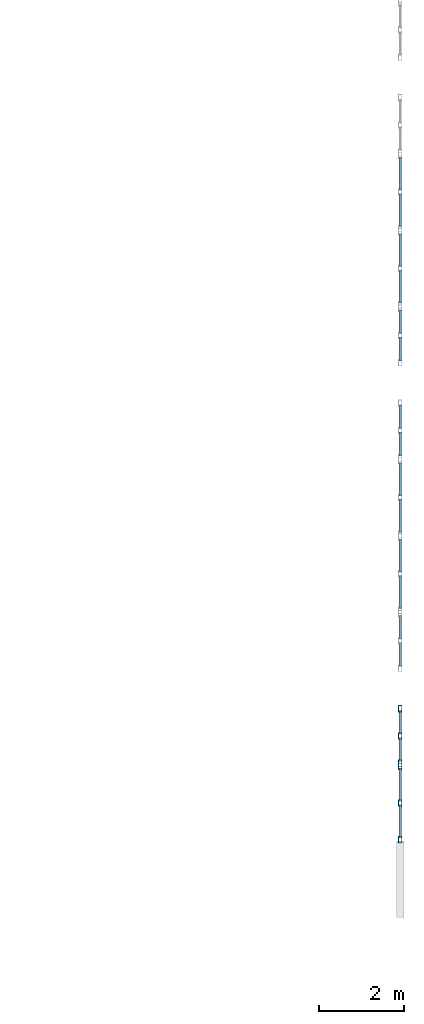
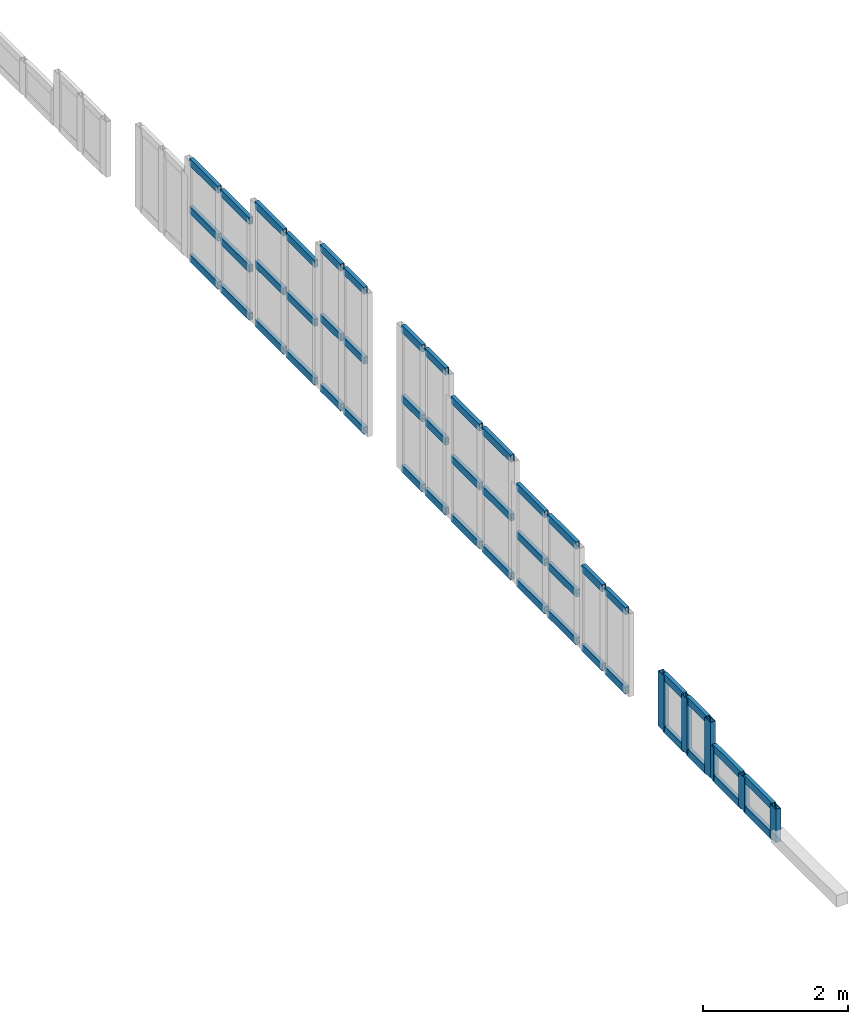
# One storey, part 8 of 20: 54 members, 9 elements without a shape of their own.
"""IFC4 building model written with IfcOpenShell, lengths in metres."""

import ifcopenshell
import ifcopenshell.guid

model = None  # the IFC model being written
_history = None  # IfcOwnerHistory: only IFC2X3 demands one
_inside = {}  # id of a spatial element -> (the spatial element, [elements in it])
_under = {}  # id of a project, library or spatial element -> (it, [spatial elements below it])
_declared = {}  # id of a project -> (the project, [libraries it declares])
_typed = {}  # id of a type object -> (the type object, [elements of that type])
_made_of = {}  # id of a material, layer set ... -> (it, [elements and type objects made of it])


def new_model(schema):
    """Start an empty IFC model of exactly this schema.

    Asked for "IFC4X3", IfcOpenShell would pick the latest addendum, in which some entities
    have other attributes; the version numbers below select the first issue.
    IFC2X3 requires an IfcOwnerHistory on every rooted entity: one is made here for all.
    """
    global model, _history
    if schema == "IFC4X3":
        model = ifcopenshell.file(schema_version=(4, 3, 0, 0))
    else:
        model = ifcopenshell.file(schema=schema)
    _inside.clear()
    _under.clear()
    _declared.clear()
    _typed.clear()
    _made_of.clear()
    _history = None
    if model.schema == "IFC2X3":
        org = make("IfcOrganization", Name="unknown")
        user = make(
            "IfcPersonAndOrganization",
            ThePerson=make("IfcPerson", FamilyName="unknown"),
            TheOrganization=org,
        )
        app = make(
            "IfcApplication",
            ApplicationDeveloper=org,
            Version="unknown",
            ApplicationFullName="unknown",
            ApplicationIdentifier="unknown",
        )
        _history = make(
            "IfcOwnerHistory",
            OwningUser=user,
            OwningApplication=app,
            ChangeAction="ADDED",
            CreationDate=0,
        )
    return model


def make(cls, **values):
    """One entity of the class cls with the attributes given. An attribute that is None is left unset."""
    return model.create_entity(
        cls, **{name: value for name, value in values.items() if value is not None}
    )


def rooted(cls, **values):
    """An entity with a GlobalId (a new one), such as an element, a storey or a relation."""
    return make(cls, GlobalId=ifcopenshell.guid.new(), OwnerHistory=_history, **values)


def si_unit(unit_type, name, prefix=None):
    """IfcSIUnit, for example si_unit("LENGTHUNIT", "METRE", prefix="MILLI")."""
    return make("IfcSIUnit", UnitType=unit_type, Prefix=prefix, Name=name)


def assignment(units):
    """IfcUnitAssignment: the units of a project."""
    return None if units is None else make("IfcUnitAssignment", Units=units)


def point(xyz):
    """IfcCartesianPoint."""
    return None if xyz is None else make("IfcCartesianPoint", Coordinates=xyz)


def direction(xyz):
    """IfcDirection."""
    return None if xyz is None else make("IfcDirection", DirectionRatios=xyz)


def frame(location, z_axis=None, x_axis=None):
    """IfcAxis2Placement3D, a coordinate frame: its origin and axes. An axis left out is left unset."""
    return make(
        "IfcAxis2Placement3D",
        Location=point(location),
        Axis=direction(z_axis),
        RefDirection=direction(x_axis),
    )


def frame_2d(location, x_axis=None):
    """IfcAxis2Placement2D, a coordinate frame in the plane: its origin and x axis."""
    return make(
        "IfcAxis2Placement2D", Location=point(location), RefDirection=direction(x_axis)
    )


def origin():
    """The frame at (0, 0, 0) with its axes left unset."""
    return frame((0.0, 0.0, 0.0))


def origin_2d():
    """The frame at (0, 0) in the plane with its x axis left unset."""
    return frame_2d((0.0, 0.0))


def place(relative_to, where):
    """IfcLocalPlacement: puts the frame where relative to a parent placement (None: the world)."""
    return make(
        "IfcLocalPlacement", PlacementRelTo=relative_to, RelativePlacement=where
    )


def context(
    kind, dimensions, precision=None, world=None, true_north=None, identifier=None
):
    """IfcGeometricRepresentationContext, for example the 3D "Model" context."""
    return make(
        "IfcGeometricRepresentationContext",
        ContextIdentifier=identifier,
        ContextType=kind,
        CoordinateSpaceDimension=dimensions,
        Precision=precision,
        WorldCoordinateSystem=world,
        TrueNorth=true_north,
    )


def subcontext(parent, identifier, kind, view, scale=None):
    """IfcGeometricRepresentationSubContext, for example "Body" below "Model"."""
    return make(
        "IfcGeometricRepresentationSubContext",
        ContextIdentifier=identifier,
        ContextType=kind,
        ParentContext=parent,
        TargetScale=scale,
        TargetView=view,
    )


def project(units=None, contexts=None):
    """IfcProject with its units and contexts."""
    return rooted(
        "IfcProject",
        Name="project",
        RepresentationContexts=contexts,
        UnitsInContext=assignment(units),
    )


def spatial(cls, under=None, at=None, **own):
    """A site, building, storey or space (cls), placed at a placement, below another one or the project."""
    s = rooted(cls, ObjectPlacement=at, **own)
    if under is not None:
        _under.setdefault(under.id(), (under, []))[1].append(s)
    return s


def profile(cls, at=None, kind="AREA", **sizes):
    """A parametric profile (cls). Its sizes go by their IFC names, for example OverallWidth=200.0."""
    return make(cls, ProfileType=kind, Position=at, **sizes)


def hollow_rectangle(**sizes):
    """IfcRectangleHollowProfileDef."""
    return profile("IfcRectangleHollowProfileDef", **sizes)


def extrude(swept, where, along, depth):
    """IfcExtrudedAreaSolid: the profile swept, set in the frame where, extruded along a direction by depth."""
    return make(
        "IfcExtrudedAreaSolid",
        SweptArea=swept,
        Position=where,
        ExtrudedDirection=direction(along),
        Depth=depth,
    )


def shape(context_of_items, identifier, shape_type, items):
    """IfcShapeRepresentation: the items that make up one representation, for example the "Body"."""
    return make(
        "IfcShapeRepresentation",
        ContextOfItems=context_of_items,
        RepresentationIdentifier=identifier,
        RepresentationType=shape_type,
        Items=items,
    )


def material(Name=None, Category=None):
    """IfcMaterial."""
    return make("IfcMaterial", Name=Name, Category=Category)


def layer(
    of_material, thickness, ventilated=None, Name=None, Category=None, Priority=None
):
    """IfcMaterialLayer: one layer of a wall or slab, of a material (None: an air gap)."""
    return make(
        "IfcMaterialLayer",
        Material=of_material,
        LayerThickness=thickness,
        IsVentilated=ventilated,
        Name=Name,
        Category=Category,
        Priority=Priority,
    )


def layer_set(layers, Name=None):
    """IfcMaterialLayerSet."""
    return make("IfcMaterialLayerSet", MaterialLayers=layers, LayerSetName=Name)


def material_profile(
    of_material, cross_section, Name=None, Category=None, Priority=None
):
    """IfcMaterialProfile: a cross section and its material."""
    return make(
        "IfcMaterialProfile",
        Name=Name,
        Material=of_material,
        Profile=cross_section,
        Priority=Priority,
        Category=Category,
    )


def profile_set(profiles, Name=None, composite=None):
    """IfcMaterialProfileSet."""
    return make(
        "IfcMaterialProfileSet",
        Name=Name,
        MaterialProfiles=profiles,
        CompositeProfile=composite,
    )


def made_of(thing, what):
    """Note that an element or type object is made of a material, layer set ...; save() writes the relation."""
    if what is not None:
        _made_of.setdefault(what.id(), (what, []))[1].append(thing)
    return thing


def type_object(cls, material=None, **own):
    """A type object (cls), such as IfcWallType, which elements share."""
    return made_of(rooted(cls, **own), material)


def element(
    cls,
    number,
    at=None,
    inside=None,
    cuts=None,
    type_object=None,
    material=None,
    context=None,
    identifier="Body",
    shape_type=None,
    held_by="IfcProductDefinitionShape",
    body=None,
    shapes=None,
    **own,
):
    """One element of the class cls, such as IfcWall. Its Tag is "e" and its number.

    at: its placement. inside: the storey or other place that contains it. cuts: it is an
    opening in that element (IfcRelVoidsElement). A single representation is given by context,
    identifier, shape_type and body (its items); several are given by shapes. held_by: the class
    of the entity that holds the representations. save() writes the other relations.
    """
    e = rooted(cls, Tag="e%d" % number, ObjectPlacement=at, **own)
    if body is not None:
        shapes = [shape(context, identifier, shape_type, body)]
    if shapes is not None:
        e.Representation = make(held_by, Representations=shapes)
    if inside is not None:
        _inside.setdefault(inside.id(), (inside, []))[1].append(e)
    if cuts is not None:
        rooted(
            "IfcRelVoidsElement", RelatingBuildingElement=cuts, RelatedOpeningElement=e
        )
    if type_object is not None:
        _typed.setdefault(type_object.id(), (type_object, []))[1].append(e)
    return made_of(e, material)


def aggregate(whole, parts):
    """IfcRelAggregates: a whole, such as a stair, and the parts it consists of."""
    return rooted("IfcRelAggregates", RelatingObject=whole, RelatedObjects=parts)


def save(model, path):
    """Write the relations noted so far, then the file.

    IfcRelAggregates (storeys below a building ...), IfcRelContainedInSpatialStructure (elements
    in a storey), IfcRelDefinesByType, IfcRelAssociatesMaterial and IfcRelDeclares: one each for
    every whole, place, type object, material and project.
    """
    for whole, parts in _under.values():
        aggregate(whole, parts)
    for where, things in _inside.values():
        rooted(
            "IfcRelContainedInSpatialStructure",
            RelatedElements=things,
            RelatingStructure=where,
        )
    for kind, things in _typed.values():
        rooted("IfcRelDefinesByType", RelatedObjects=things, RelatingType=kind)
    for what, things in _made_of.values():
        rooted("IfcRelAssociatesMaterial", RelatedObjects=things, RelatingMaterial=what)
    for by, libraries in _declared.values():
        rooted("IfcRelDeclares", RelatingContext=by, RelatedDefinitions=libraries)
    model.write(path)


model = new_model("IFC4")

# Units and contexts
model_context = context("Model", 3, precision=1e-05, world=origin(), true_north=direction((0.0, 1.0)))
body_context = subcontext(model_context, "Body", "Model", "MODEL_VIEW")
ifc_project = project(units=[si_unit("LENGTHUNIT", "METRE"), si_unit("AREAUNIT", "SQUARE_METRE"), si_unit("VOLUMEUNIT", "CUBIC_METRE"), si_unit("PLANEANGLEUNIT", "RADIAN"), si_unit("MASSUNIT", "GRAM", prefix="KILO"), si_unit("THERMODYNAMICTEMPERATUREUNIT", "KELVIN"), si_unit("POWERUNIT", "WATT")], contexts=[model_context])

# Site, building, storey
site_placement = place(None, origin())
site = spatial("IfcSite", under=ifc_project, at=site_placement, CompositionType="ELEMENT")
building_placement = place(site_placement, origin())
building = spatial("IfcBuilding", under=site, at=building_placement, Name="Kaldorven Railside Theatre", CompositionType="ELEMENT")
storey_placement = place(building_placement, frame((0.0, 0.0, 23.10009765625)))
storey = spatial("IfcBuildingStorey", under=building, at=storey_placement, Name="L05", CompositionType="ELEMENT", Elevation=23.10009765625)

# Curtain wall, members
ifc_material_1 = material(Name="Low-E laminated solar-control glass", Category="glass")
ifc_layer_1 = layer(ifc_material_1, 0.159912109375, Name="Low-E laminated solar-control glass")
ifc_layer_set_1 = layer_set([ifc_layer_1], Name="Low-E laminated solar-control glass")
curtain_wall_type_1 = type_object("IfcCurtainWallType", Name="CWT-71", PredefinedType="USERDEFINED", material=ifc_layer_set_1)
curtain_wall_1_placement = place(storey_placement, origin())
curtain_wall_1 = element("IfcCurtainWall", 1, at=curtain_wall_1_placement, inside=storey, type_object=curtain_wall_type_1, Name="Production East Gable Clerestory CWG-172", ObjectType="FLUTED GLAZING", PredefinedType="USERDEFINED")
ifc_material_2 = material(Name="Anodised bronze aluminium", Category="aluminium")
ifc_material_profile_1 = material_profile(ifc_material_2, hollow_rectangle(XDim=0.080078125, YDim=0.159912109375, WallThickness=0.00634765625, at=origin_2d()), Name="RHS 160x80x6.3")
ifc_profile_set_1 = profile_set([ifc_material_profile_1], Name="Anodised bronze aluminium")
member_type_1 = type_object("IfcMemberType", Name="CWM-160", PredefinedType="MULLION", material=ifc_profile_set_1)
member_1_placement = place(storey_placement, frame((166.39990234375, 116.43994140625, 0.02001953125), z_axis=(0.0, 0.0, 1.0), x_axis=(-1.0, 0.0, 0.0)))
member_1 = element("IfcMember", 2, at=member_1_placement, type_object=member_type_1, Name="CWG-172 mullion 1", PredefinedType="MULLION", context=body_context, shape_type="SweptSolid", body=[
    extrude(hollow_rectangle(XDim=0.080078125, YDim=0.159912109375, WallThickness=0.00634765625, at=origin_2d()), origin(), (0.0, 0.0, 1.0), 0.559814453125),
])
member_2_placement = place(storey_placement, frame((166.39990234375, 117.300048828125, 0.02001953125), z_axis=(0.0, 0.0, 1.0), x_axis=(-1.0, 0.0, 0.0)))
member_2 = element("IfcMember", 3, at=member_2_placement, type_object=member_type_1, Name="CWG-172 mullion 2", PredefinedType="MULLION", context=body_context, shape_type="SweptSolid", body=[
    extrude(hollow_rectangle(XDim=0.080078125, YDim=0.159912109375, WallThickness=0.00634765625, at=origin_2d()), origin(), (0.0, 0.0, 1.0), 0.559814453125),
])
member_3_placement = place(storey_placement, frame((166.39990234375, 118.159912109375, 0.02001953125), z_axis=(0.0, 0.0, 1.0), x_axis=(-1.0, 0.0, 0.0)))
member_3 = element("IfcMember", 4, at=member_3_placement, type_object=member_type_1, Name="CWG-172 mullion 3", PredefinedType="MULLION", context=body_context, shape_type="SweptSolid", body=[
    extrude(hollow_rectangle(XDim=0.080078125, YDim=0.159912109375, WallThickness=0.00634765625, at=origin_2d()), origin(), (0.0, 0.0, 1.0), 0.559814453125),
])

ifc_layer_2 = layer(ifc_material_1, 0.159912109375, Name="Low-E laminated solar-control glass")
ifc_layer_set_2 = layer_set([ifc_layer_2], Name="Low-E laminated solar-control glass")
curtain_wall_type_2 = type_object("IfcCurtainWallType", Name="CWT-72", PredefinedType="USERDEFINED", material=ifc_layer_set_2)
curtain_wall_2_placement = place(storey_placement, origin())
curtain_wall_2 = element("IfcCurtainWall", 5, at=curtain_wall_2_placement, inside=storey, type_object=curtain_wall_type_2, Name="Production East Gable Clerestory CWG-173", ObjectType="FLUTED GLAZING", PredefinedType="USERDEFINED")
member_4_placement = place(storey_placement, frame((166.39990234375, 118.239990234375, 0.02001953125), z_axis=(0.0, 0.0, 1.0), x_axis=(-1.0, 0.0, 0.0)))
member_4 = element("IfcMember", 6, at=member_4_placement, type_object=member_type_1, Name="CWG-173 mullion 1", PredefinedType="MULLION", context=body_context, shape_type="SweptSolid", body=[
    extrude(hollow_rectangle(XDim=0.080078125, YDim=0.159912109375, WallThickness=0.00634765625, at=origin_2d()), origin(), (0.0, 0.0, 1.0), 0.929931640625),
])
member_5_placement = place(storey_placement, frame((166.39990234375, 118.8798828125, 0.02001953125), z_axis=(0.0, 0.0, 1.0), x_axis=(-1.0, 0.0, 0.0)))
member_5 = element("IfcMember", 7, at=member_5_placement, type_object=member_type_1, Name="CWG-173 mullion 2", PredefinedType="MULLION", context=body_context, shape_type="SweptSolid", body=[
    extrude(hollow_rectangle(XDim=0.080078125, YDim=0.159912109375, WallThickness=0.00634765625, at=origin_2d()), origin(), (0.0, 0.0, 1.0), 0.929931640625),
])
member_6_placement = place(storey_placement, frame((166.39990234375, 119.52001953125, 0.02001953125), z_axis=(0.0, 0.0, 1.0), x_axis=(-1.0, 0.0, 0.0)))
member_6 = element("IfcMember", 8, at=member_6_placement, type_object=member_type_1, Name="CWG-173 mullion 3", PredefinedType="MULLION", context=body_context, shape_type="SweptSolid", body=[
    extrude(hollow_rectangle(XDim=0.080078125, YDim=0.159912109375, WallThickness=0.00634765625, at=origin_2d()), origin(), (0.0, 0.0, 1.0), 0.929931640625),
])

# Member
ifc_material_profile_2 = material_profile(ifc_material_2, hollow_rectangle(XDim=0.06005859375, YDim=0.1201171875, WallThickness=0.0048828125, at=origin_2d()), Name="RHS 120x60x5")
ifc_profile_set_2 = profile_set([ifc_material_profile_2], Name="Anodised bronze aluminium")
member_type_2 = type_object("IfcMemberType", Name="CWT-120", PredefinedType="USERDEFINED", material=ifc_profile_set_2)
member_7_placement = place(storey_placement, frame((166.39990234375, 116.47998046875, 0.0498046875), z_axis=(0.0, 1.0, 0.0), x_axis=(-1.0, 0.0, 0.0)))
member_7 = element("IfcMember", 9, at=member_7_placement, type_object=member_type_2, Name="CWG-172 transom 1.1", ObjectType="TRANSOM", PredefinedType="USERDEFINED", context=body_context, shape_type="SweptSolid", body=[
    extrude(hollow_rectangle(XDim=0.06005859375, YDim=0.1201171875, WallThickness=0.0048828125, at=origin_2d()), origin(), (0.0, 0.0, 1.0), 0.780029296875),
])

member_8_placement = place(storey_placement, frame((166.39990234375, 116.47998046875, 0.5498046875), z_axis=(0.0, 1.0, 0.0), x_axis=(-1.0, 0.0, 0.0)))
member_8 = element("IfcMember", 10, at=member_8_placement, type_object=member_type_2, Name="CWG-172 transom 1.2", ObjectType="TRANSOM", PredefinedType="USERDEFINED", context=body_context, shape_type="SweptSolid", body=[
    extrude(hollow_rectangle(XDim=0.06005859375, YDim=0.1201171875, WallThickness=0.0048828125, at=origin_2d()), origin(), (0.0, 0.0, 1.0), 0.780029296875),
])

member_9_placement = place(storey_placement, frame((166.39990234375, 117.340087890625, 0.0498046875), z_axis=(0.0, 1.0, 0.0), x_axis=(-1.0, 0.0, 0.0)))
member_9 = element("IfcMember", 11, at=member_9_placement, type_object=member_type_2, Name="CWG-172 transom 2.1", ObjectType="TRANSOM", PredefinedType="USERDEFINED", context=body_context, shape_type="SweptSolid", body=[
    extrude(hollow_rectangle(XDim=0.06005859375, YDim=0.1201171875, WallThickness=0.0048828125, at=origin_2d()), origin(), (0.0, 0.0, 1.0), 0.780029296875),
])

member_10_placement = place(storey_placement, frame((166.39990234375, 117.340087890625, 0.5498046875), z_axis=(0.0, 1.0, 0.0), x_axis=(-1.0, 0.0, 0.0)))
member_10 = element("IfcMember", 12, at=member_10_placement, type_object=member_type_2, Name="CWG-172 transom 2.2", ObjectType="TRANSOM", PredefinedType="USERDEFINED", context=body_context, shape_type="SweptSolid", body=[
    extrude(hollow_rectangle(XDim=0.06005859375, YDim=0.1201171875, WallThickness=0.0048828125, at=origin_2d()), origin(), (0.0, 0.0, 1.0), 0.780029296875),
])

aggregate(curtain_wall_1, [member_1, member_2, member_3, member_7, member_8, member_9, member_10])

member_11_placement = place(storey_placement, frame((166.39990234375, 118.280029296875, 0.0498046875), z_axis=(0.0, 1.0, 0.0), x_axis=(-1.0, 0.0, 0.0)))
member_11 = element("IfcMember", 13, at=member_11_placement, type_object=member_type_2, Name="CWG-173 transom 1.1", ObjectType="TRANSOM", PredefinedType="USERDEFINED", context=body_context, shape_type="SweptSolid", body=[
    extrude(hollow_rectangle(XDim=0.06005859375, YDim=0.1201171875, WallThickness=0.0048828125, at=origin_2d()), origin(), (0.0, 0.0, 1.0), 0.56005859375),
])

member_12_placement = place(storey_placement, frame((166.39990234375, 118.280029296875, 0.919921875), z_axis=(0.0, 1.0, 0.0), x_axis=(-1.0, 0.0, 0.0)))
member_12 = element("IfcMember", 14, at=member_12_placement, type_object=member_type_2, Name="CWG-173 transom 1.2", ObjectType="TRANSOM", PredefinedType="USERDEFINED", context=body_context, shape_type="SweptSolid", body=[
    extrude(hollow_rectangle(XDim=0.06005859375, YDim=0.1201171875, WallThickness=0.0048828125, at=origin_2d()), origin(), (0.0, 0.0, 1.0), 0.56005859375),
])

member_13_placement = place(storey_placement, frame((166.39990234375, 118.919921875, 0.0498046875), z_axis=(0.0, 1.0, 0.0), x_axis=(-1.0, 0.0, 0.0)))
member_13 = element("IfcMember", 15, at=member_13_placement, type_object=member_type_2, Name="CWG-173 transom 2.1", ObjectType="TRANSOM", PredefinedType="USERDEFINED", context=body_context, shape_type="SweptSolid", body=[
    extrude(hollow_rectangle(XDim=0.06005859375, YDim=0.1201171875, WallThickness=0.0048828125, at=origin_2d()), origin(), (0.0, 0.0, 1.0), 0.56005859375),
])

member_14_placement = place(storey_placement, frame((166.39990234375, 118.919921875, 0.919921875), z_axis=(0.0, 1.0, 0.0), x_axis=(-1.0, 0.0, 0.0)))
member_14 = element("IfcMember", 16, at=member_14_placement, type_object=member_type_2, Name="CWG-173 transom 2.2", ObjectType="TRANSOM", PredefinedType="USERDEFINED", context=body_context, shape_type="SweptSolid", body=[
    extrude(hollow_rectangle(XDim=0.06005859375, YDim=0.1201171875, WallThickness=0.0048828125, at=origin_2d()), origin(), (0.0, 0.0, 1.0), 0.56005859375),
])

aggregate(curtain_wall_2, [member_4, member_5, member_6, member_11, member_12, member_13, member_14])

# Curtain wall, members
ifc_layer_3 = layer(ifc_material_1, 0.159912109375, Name="Low-E laminated solar-control glass")
ifc_layer_set_3 = layer_set([ifc_layer_3], Name="Low-E laminated solar-control glass")
curtain_wall_type_3 = type_object("IfcCurtainWallType", Name="CWT-73", PredefinedType="USERDEFINED", material=ifc_layer_set_3)
curtain_wall_3_placement = place(storey_placement, origin())
curtain_wall_3 = element("IfcCurtainWall", 17, at=curtain_wall_3_placement, inside=storey, type_object=curtain_wall_type_3, Name="Production East Gable Clerestory CWG-174", ObjectType="FLUTED GLAZING", PredefinedType="USERDEFINED")
member_15_placement = place(storey_placement, frame((166.39990234375, 120.52001953125, 0.0498046875), z_axis=(0.0, 1.0, 0.0), x_axis=(-1.0, 0.0, 0.0)))
member_15 = element("IfcMember", 18, at=member_15_placement, type_object=member_type_2, Name="CWG-174 transom 1.1", ObjectType="TRANSOM", PredefinedType="USERDEFINED", context=body_context, shape_type="SweptSolid", body=[
    extrude(hollow_rectangle(XDim=0.06005859375, YDim=0.1201171875, WallThickness=0.0048828125, at=origin_2d()), origin(), (0.0, 0.0, 1.0), 0.56005859375),
])
member_16_placement = place(storey_placement, frame((166.39990234375, 120.52001953125, 1.3798828125), z_axis=(0.0, 1.0, 0.0), x_axis=(-1.0, 0.0, 0.0)))
member_16 = element("IfcMember", 19, at=member_16_placement, type_object=member_type_2, Name="CWG-174 transom 1.2", ObjectType="TRANSOM", PredefinedType="USERDEFINED", context=body_context, shape_type="SweptSolid", body=[
    extrude(hollow_rectangle(XDim=0.06005859375, YDim=0.1201171875, WallThickness=0.0048828125, at=origin_2d()), origin(), (0.0, 0.0, 1.0), 0.56005859375),
])
member_17_placement = place(storey_placement, frame((166.39990234375, 121.159912109375, 0.0498046875), z_axis=(0.0, 1.0, 0.0), x_axis=(-1.0, 0.0, 0.0)))
member_17 = element("IfcMember", 20, at=member_17_placement, type_object=member_type_2, Name="CWG-174 transom 2.1", ObjectType="TRANSOM", PredefinedType="USERDEFINED", context=body_context, shape_type="SweptSolid", body=[
    extrude(hollow_rectangle(XDim=0.06005859375, YDim=0.1201171875, WallThickness=0.0048828125, at=origin_2d()), origin(), (0.0, 0.0, 1.0), 0.56005859375),
])
member_18_placement = place(storey_placement, frame((166.39990234375, 121.159912109375, 1.3798828125), z_axis=(0.0, 1.0, 0.0), x_axis=(-1.0, 0.0, 0.0)))
member_18 = element("IfcMember", 21, at=member_18_placement, type_object=member_type_2, Name="CWG-174 transom 2.2", ObjectType="TRANSOM", PredefinedType="USERDEFINED", context=body_context, shape_type="SweptSolid", body=[
    extrude(hollow_rectangle(XDim=0.06005859375, YDim=0.1201171875, WallThickness=0.0048828125, at=origin_2d()), origin(), (0.0, 0.0, 1.0), 0.56005859375),
])
aggregate(curtain_wall_3, [member_15, member_16, member_17, member_18])

ifc_layer_4 = layer(ifc_material_1, 0.159912109375, Name="Low-E laminated solar-control glass")
ifc_layer_set_4 = layer_set([ifc_layer_4], Name="Low-E laminated solar-control glass")
curtain_wall_type_4 = type_object("IfcCurtainWallType", Name="CWT-74", PredefinedType="USERDEFINED", material=ifc_layer_set_4)
curtain_wall_4_placement = place(storey_placement, origin())
curtain_wall_4 = element("IfcCurtainWall", 22, at=curtain_wall_4_placement, inside=storey, type_object=curtain_wall_type_4, Name="Production East Gable Clerestory CWG-175", ObjectType="FLUTED GLAZING", PredefinedType="USERDEFINED")
member_19_placement = place(storey_placement, frame((166.39990234375, 121.8798828125, 0.0498046875), z_axis=(0.0, 1.0, 0.0), x_axis=(-1.0, 0.0, 0.0)))
member_19 = element("IfcMember", 23, at=member_19_placement, type_object=member_type_2, Name="CWG-175 transom 1.1", ObjectType="TRANSOM", PredefinedType="USERDEFINED", context=body_context, shape_type="SweptSolid", body=[
    extrude(hollow_rectangle(XDim=0.06005859375, YDim=0.1201171875, WallThickness=0.0048828125, at=origin_2d()), origin(), (0.0, 0.0, 1.0), 0.780029296875),
])
member_20_placement = place(storey_placement, frame((166.39990234375, 121.8798828125, 0.85498046875), z_axis=(0.0, 1.0, 0.0), x_axis=(-1.0, 0.0, 0.0)))
member_20 = element("IfcMember", 24, at=member_20_placement, type_object=member_type_2, Name="CWG-175 transom 1.2", ObjectType="TRANSOM", PredefinedType="USERDEFINED", context=body_context, shape_type="SweptSolid", body=[
    extrude(hollow_rectangle(XDim=0.06005859375, YDim=0.1201171875, WallThickness=0.0048828125, at=origin_2d()), origin(), (0.0, 0.0, 1.0), 0.780029296875),
])
member_21_placement = place(storey_placement, frame((166.39990234375, 121.8798828125, 1.659912109375), z_axis=(0.0, 1.0, 0.0), x_axis=(-1.0, 0.0, 0.0)))
member_21 = element("IfcMember", 25, at=member_21_placement, type_object=member_type_2, Name="CWG-175 transom 1.3", ObjectType="TRANSOM", PredefinedType="USERDEFINED", context=body_context, shape_type="SweptSolid", body=[
    extrude(hollow_rectangle(XDim=0.06005859375, YDim=0.1201171875, WallThickness=0.0048828125, at=origin_2d()), origin(), (0.0, 0.0, 1.0), 0.780029296875),
])
member_22_placement = place(storey_placement, frame((166.39990234375, 122.739990234375, 0.0498046875), z_axis=(0.0, 1.0, 0.0), x_axis=(-1.0, 0.0, 0.0)))
member_22 = element("IfcMember", 26, at=member_22_placement, type_object=member_type_2, Name="CWG-175 transom 2.1", ObjectType="TRANSOM", PredefinedType="USERDEFINED", context=body_context, shape_type="SweptSolid", body=[
    extrude(hollow_rectangle(XDim=0.06005859375, YDim=0.1201171875, WallThickness=0.0048828125, at=origin_2d()), origin(), (0.0, 0.0, 1.0), 0.780029296875),
])
member_23_placement = place(storey_placement, frame((166.39990234375, 122.739990234375, 0.85498046875), z_axis=(0.0, 1.0, 0.0), x_axis=(-1.0, 0.0, 0.0)))
member_23 = element("IfcMember", 27, at=member_23_placement, type_object=member_type_2, Name="CWG-175 transom 2.2", ObjectType="TRANSOM", PredefinedType="USERDEFINED", context=body_context, shape_type="SweptSolid", body=[
    extrude(hollow_rectangle(XDim=0.06005859375, YDim=0.1201171875, WallThickness=0.0048828125, at=origin_2d()), origin(), (0.0, 0.0, 1.0), 0.780029296875),
])
member_24_placement = place(storey_placement, frame((166.39990234375, 122.739990234375, 1.659912109375), z_axis=(0.0, 1.0, 0.0), x_axis=(-1.0, 0.0, 0.0)))
member_24 = element("IfcMember", 28, at=member_24_placement, type_object=member_type_2, Name="CWG-175 transom 2.3", ObjectType="TRANSOM", PredefinedType="USERDEFINED", context=body_context, shape_type="SweptSolid", body=[
    extrude(hollow_rectangle(XDim=0.06005859375, YDim=0.1201171875, WallThickness=0.0048828125, at=origin_2d()), origin(), (0.0, 0.0, 1.0), 0.780029296875),
])
aggregate(curtain_wall_4, [member_19, member_20, member_21, member_22, member_23, member_24])

ifc_layer_5 = layer(ifc_material_1, 0.159912109375, Name="Low-E laminated solar-control glass")
ifc_layer_set_5 = layer_set([ifc_layer_5], Name="Low-E laminated solar-control glass")
curtain_wall_type_5 = type_object("IfcCurtainWallType", Name="CWT-75", PredefinedType="USERDEFINED", material=ifc_layer_set_5)
curtain_wall_5_placement = place(storey_placement, origin())
curtain_wall_5 = element("IfcCurtainWall", 29, at=curtain_wall_5_placement, inside=storey, type_object=curtain_wall_type_5, Name="Production East Gable Clerestory CWG-176", ObjectType="FLUTED GLAZING", PredefinedType="USERDEFINED")
member_25_placement = place(storey_placement, frame((166.39990234375, 123.679931640625, 0.0498046875), z_axis=(0.0, 1.0, 0.0), x_axis=(-1.0, 0.0, 0.0)))
member_25 = element("IfcMember", 30, at=member_25_placement, type_object=member_type_2, Name="CWG-176 transom 1.1", ObjectType="TRANSOM", PredefinedType="USERDEFINED", context=body_context, shape_type="SweptSolid", body=[
    extrude(hollow_rectangle(XDim=0.06005859375, YDim=0.1201171875, WallThickness=0.0048828125, at=origin_2d()), origin(), (0.0, 0.0, 1.0), 0.780029296875),
])
member_26_placement = place(storey_placement, frame((166.39990234375, 123.679931640625, 1.039794921875), z_axis=(0.0, 1.0, 0.0), x_axis=(-1.0, 0.0, 0.0)))
member_26 = element("IfcMember", 31, at=member_26_placement, type_object=member_type_2, Name="CWG-176 transom 1.2", ObjectType="TRANSOM", PredefinedType="USERDEFINED", context=body_context, shape_type="SweptSolid", body=[
    extrude(hollow_rectangle(XDim=0.06005859375, YDim=0.1201171875, WallThickness=0.0048828125, at=origin_2d()), origin(), (0.0, 0.0, 1.0), 0.780029296875),
])
member_27_placement = place(storey_placement, frame((166.39990234375, 123.679931640625, 2.02978515625), z_axis=(0.0, 1.0, 0.0), x_axis=(-1.0, 0.0, 0.0)))
member_27 = element("IfcMember", 32, at=member_27_placement, type_object=member_type_2, Name="CWG-176 transom 1.3", ObjectType="TRANSOM", PredefinedType="USERDEFINED", context=body_context, shape_type="SweptSolid", body=[
    extrude(hollow_rectangle(XDim=0.06005859375, YDim=0.1201171875, WallThickness=0.0048828125, at=origin_2d()), origin(), (0.0, 0.0, 1.0), 0.780029296875),
])
member_28_placement = place(storey_placement, frame((166.39990234375, 124.5400390625, 0.0498046875), z_axis=(0.0, 1.0, 0.0), x_axis=(-1.0, 0.0, 0.0)))
member_28 = element("IfcMember", 33, at=member_28_placement, type_object=member_type_2, Name="CWG-176 transom 2.1", ObjectType="TRANSOM", PredefinedType="USERDEFINED", context=body_context, shape_type="SweptSolid", body=[
    extrude(hollow_rectangle(XDim=0.06005859375, YDim=0.1201171875, WallThickness=0.0048828125, at=origin_2d()), origin(), (0.0, 0.0, 1.0), 0.780029296875),
])
member_29_placement = place(storey_placement, frame((166.39990234375, 124.5400390625, 1.039794921875), z_axis=(0.0, 1.0, 0.0), x_axis=(-1.0, 0.0, 0.0)))
member_29 = element("IfcMember", 34, at=member_29_placement, type_object=member_type_2, Name="CWG-176 transom 2.2", ObjectType="TRANSOM", PredefinedType="USERDEFINED", context=body_context, shape_type="SweptSolid", body=[
    extrude(hollow_rectangle(XDim=0.06005859375, YDim=0.1201171875, WallThickness=0.0048828125, at=origin_2d()), origin(), (0.0, 0.0, 1.0), 0.780029296875),
])
member_30_placement = place(storey_placement, frame((166.39990234375, 124.5400390625, 2.02978515625), z_axis=(0.0, 1.0, 0.0), x_axis=(-1.0, 0.0, 0.0)))
member_30 = element("IfcMember", 35, at=member_30_placement, type_object=member_type_2, Name="CWG-176 transom 2.3", ObjectType="TRANSOM", PredefinedType="USERDEFINED", context=body_context, shape_type="SweptSolid", body=[
    extrude(hollow_rectangle(XDim=0.06005859375, YDim=0.1201171875, WallThickness=0.0048828125, at=origin_2d()), origin(), (0.0, 0.0, 1.0), 0.780029296875),
])
aggregate(curtain_wall_5, [member_25, member_26, member_27, member_28, member_29, member_30])

ifc_layer_6 = layer(ifc_material_1, 0.159912109375, Name="Low-E laminated solar-control glass")
ifc_layer_set_6 = layer_set([ifc_layer_6], Name="Low-E laminated solar-control glass")
curtain_wall_type_6 = type_object("IfcCurtainWallType", Name="CWT-76", PredefinedType="USERDEFINED", material=ifc_layer_set_6)
curtain_wall_6_placement = place(storey_placement, origin())
curtain_wall_6 = element("IfcCurtainWall", 36, at=curtain_wall_6_placement, inside=storey, type_object=curtain_wall_type_6, Name="Production East Gable Clerestory CWG-177", ObjectType="FLUTED GLAZING", PredefinedType="USERDEFINED")
member_31_placement = place(storey_placement, frame((166.39990234375, 125.47998046875, 0.0498046875), z_axis=(0.0, 1.0, 0.0), x_axis=(-1.0, 0.0, 0.0)))
member_31 = element("IfcMember", 37, at=member_31_placement, type_object=member_type_2, Name="CWG-177 transom 1.1", ObjectType="TRANSOM", PredefinedType="USERDEFINED", context=body_context, shape_type="SweptSolid", body=[
    extrude(hollow_rectangle(XDim=0.06005859375, YDim=0.1201171875, WallThickness=0.0048828125, at=origin_2d()), origin(), (0.0, 0.0, 1.0), 0.56005859375),
])
member_32_placement = place(storey_placement, frame((166.39990234375, 125.47998046875, 1.224853515625), z_axis=(0.0, 1.0, 0.0), x_axis=(-1.0, 0.0, 0.0)))
member_32 = element("IfcMember", 38, at=member_32_placement, type_object=member_type_2, Name="CWG-177 transom 1.2", ObjectType="TRANSOM", PredefinedType="USERDEFINED", context=body_context, shape_type="SweptSolid", body=[
    extrude(hollow_rectangle(XDim=0.06005859375, YDim=0.1201171875, WallThickness=0.0048828125, at=origin_2d()), origin(), (0.0, 0.0, 1.0), 0.56005859375),
])
member_33_placement = place(storey_placement, frame((166.39990234375, 125.47998046875, 2.39990234375), z_axis=(0.0, 1.0, 0.0), x_axis=(-1.0, 0.0, 0.0)))
member_33 = element("IfcMember", 39, at=member_33_placement, type_object=member_type_2, Name="CWG-177 transom 1.3", ObjectType="TRANSOM", PredefinedType="USERDEFINED", context=body_context, shape_type="SweptSolid", body=[
    extrude(hollow_rectangle(XDim=0.06005859375, YDim=0.1201171875, WallThickness=0.0048828125, at=origin_2d()), origin(), (0.0, 0.0, 1.0), 0.56005859375),
])
member_34_placement = place(storey_placement, frame((166.39990234375, 126.1201171875, 0.0498046875), z_axis=(0.0, 1.0, 0.0), x_axis=(-1.0, 0.0, 0.0)))
member_34 = element("IfcMember", 40, at=member_34_placement, type_object=member_type_2, Name="CWG-177 transom 2.1", ObjectType="TRANSOM", PredefinedType="USERDEFINED", context=body_context, shape_type="SweptSolid", body=[
    extrude(hollow_rectangle(XDim=0.06005859375, YDim=0.1201171875, WallThickness=0.0048828125, at=origin_2d()), origin(), (0.0, 0.0, 1.0), 0.559814453125),
])
member_35_placement = place(storey_placement, frame((166.39990234375, 126.1201171875, 1.224853515625), z_axis=(0.0, 1.0, 0.0), x_axis=(-1.0, 0.0, 0.0)))
member_35 = element("IfcMember", 41, at=member_35_placement, type_object=member_type_2, Name="CWG-177 transom 2.2", ObjectType="TRANSOM", PredefinedType="USERDEFINED", context=body_context, shape_type="SweptSolid", body=[
    extrude(hollow_rectangle(XDim=0.06005859375, YDim=0.1201171875, WallThickness=0.0048828125, at=origin_2d()), origin(), (0.0, 0.0, 1.0), 0.559814453125),
])
member_36_placement = place(storey_placement, frame((166.39990234375, 126.1201171875, 2.39990234375), z_axis=(0.0, 1.0, 0.0), x_axis=(-1.0, 0.0, 0.0)))
member_36 = element("IfcMember", 42, at=member_36_placement, type_object=member_type_2, Name="CWG-177 transom 2.3", ObjectType="TRANSOM", PredefinedType="USERDEFINED", context=body_context, shape_type="SweptSolid", body=[
    extrude(hollow_rectangle(XDim=0.06005859375, YDim=0.1201171875, WallThickness=0.0048828125, at=origin_2d()), origin(), (0.0, 0.0, 1.0), 0.559814453125),
])
aggregate(curtain_wall_6, [member_31, member_32, member_33, member_34, member_35, member_36])

curtain_wall_7_placement = place(storey_placement, origin())
curtain_wall_7 = element("IfcCurtainWall", 43, at=curtain_wall_7_placement, inside=storey, type_object=curtain_wall_type_6, Name="Production East Gable Clerestory CWG-178", ObjectType="FLUTED GLAZING", PredefinedType="USERDEFINED")
member_37_placement = place(storey_placement, frame((166.39990234375, 127.719970703125, 0.0498046875), z_axis=(0.0, 1.0, 0.0), x_axis=(-1.0, 0.0, 0.0)))
member_37 = element("IfcMember", 44, at=member_37_placement, type_object=member_type_2, Name="CWG-178 transom 1.1", ObjectType="TRANSOM", PredefinedType="USERDEFINED", context=body_context, shape_type="SweptSolid", body=[
    extrude(hollow_rectangle(XDim=0.06005859375, YDim=0.1201171875, WallThickness=0.0048828125, at=origin_2d()), origin(), (0.0, 0.0, 1.0), 0.56005859375),
])
member_38_placement = place(storey_placement, frame((166.39990234375, 127.719970703125, 1.224853515625), z_axis=(0.0, 1.0, 0.0), x_axis=(-1.0, 0.0, 0.0)))
member_38 = element("IfcMember", 45, at=member_38_placement, type_object=member_type_2, Name="CWG-178 transom 1.2", ObjectType="TRANSOM", PredefinedType="USERDEFINED", context=body_context, shape_type="SweptSolid", body=[
    extrude(hollow_rectangle(XDim=0.06005859375, YDim=0.1201171875, WallThickness=0.0048828125, at=origin_2d()), origin(), (0.0, 0.0, 1.0), 0.56005859375),
])
member_39_placement = place(storey_placement, frame((166.39990234375, 127.719970703125, 2.39990234375), z_axis=(0.0, 1.0, 0.0), x_axis=(-1.0, 0.0, 0.0)))
member_39 = element("IfcMember", 46, at=member_39_placement, type_object=member_type_2, Name="CWG-178 transom 1.3", ObjectType="TRANSOM", PredefinedType="USERDEFINED", context=body_context, shape_type="SweptSolid", body=[
    extrude(hollow_rectangle(XDim=0.06005859375, YDim=0.1201171875, WallThickness=0.0048828125, at=origin_2d()), origin(), (0.0, 0.0, 1.0), 0.56005859375),
])
member_40_placement = place(storey_placement, frame((166.39990234375, 128.360107421875, 0.0498046875), z_axis=(0.0, 1.0, 0.0), x_axis=(-1.0, 0.0, 0.0)))
member_40 = element("IfcMember", 47, at=member_40_placement, type_object=member_type_2, Name="CWG-178 transom 2.1", ObjectType="TRANSOM", PredefinedType="USERDEFINED", context=body_context, shape_type="SweptSolid", body=[
    extrude(hollow_rectangle(XDim=0.06005859375, YDim=0.1201171875, WallThickness=0.0048828125, at=origin_2d()), origin(), (0.0, 0.0, 1.0), 0.559814453125),
])
member_41_placement = place(storey_placement, frame((166.39990234375, 128.360107421875, 1.224853515625), z_axis=(0.0, 1.0, 0.0), x_axis=(-1.0, 0.0, 0.0)))
member_41 = element("IfcMember", 48, at=member_41_placement, type_object=member_type_2, Name="CWG-178 transom 2.2", ObjectType="TRANSOM", PredefinedType="USERDEFINED", context=body_context, shape_type="SweptSolid", body=[
    extrude(hollow_rectangle(XDim=0.06005859375, YDim=0.1201171875, WallThickness=0.0048828125, at=origin_2d()), origin(), (0.0, 0.0, 1.0), 0.559814453125),
])
member_42_placement = place(storey_placement, frame((166.39990234375, 128.360107421875, 2.39990234375), z_axis=(0.0, 1.0, 0.0), x_axis=(-1.0, 0.0, 0.0)))
member_42 = element("IfcMember", 49, at=member_42_placement, type_object=member_type_2, Name="CWG-178 transom 2.3", ObjectType="TRANSOM", PredefinedType="USERDEFINED", context=body_context, shape_type="SweptSolid", body=[
    extrude(hollow_rectangle(XDim=0.06005859375, YDim=0.1201171875, WallThickness=0.0048828125, at=origin_2d()), origin(), (0.0, 0.0, 1.0), 0.559814453125),
])
aggregate(curtain_wall_7, [member_37, member_38, member_39, member_40, member_41, member_42])

curtain_wall_8_placement = place(storey_placement, origin())
curtain_wall_8 = element("IfcCurtainWall", 50, at=curtain_wall_8_placement, inside=storey, type_object=curtain_wall_type_5, Name="Production East Gable Clerestory CWG-179", ObjectType="FLUTED GLAZING", PredefinedType="USERDEFINED")
member_43_placement = place(storey_placement, frame((166.39990234375, 129.080078125, 0.0498046875), z_axis=(0.0, 1.0, 0.0), x_axis=(-1.0, 0.0, 0.0)))
member_43 = element("IfcMember", 51, at=member_43_placement, type_object=member_type_2, Name="CWG-179 transom 1.1", ObjectType="TRANSOM", PredefinedType="USERDEFINED", context=body_context, shape_type="SweptSolid", body=[
    extrude(hollow_rectangle(XDim=0.06005859375, YDim=0.1201171875, WallThickness=0.0048828125, at=origin_2d()), origin(), (0.0, 0.0, 1.0), 0.780029296875),
])
member_44_placement = place(storey_placement, frame((166.39990234375, 129.080078125, 1.039794921875), z_axis=(0.0, 1.0, 0.0), x_axis=(-1.0, 0.0, 0.0)))
member_44 = element("IfcMember", 52, at=member_44_placement, type_object=member_type_2, Name="CWG-179 transom 1.2", ObjectType="TRANSOM", PredefinedType="USERDEFINED", context=body_context, shape_type="SweptSolid", body=[
    extrude(hollow_rectangle(XDim=0.06005859375, YDim=0.1201171875, WallThickness=0.0048828125, at=origin_2d()), origin(), (0.0, 0.0, 1.0), 0.780029296875),
])
member_45_placement = place(storey_placement, frame((166.39990234375, 129.080078125, 2.02978515625), z_axis=(0.0, 1.0, 0.0), x_axis=(-1.0, 0.0, 0.0)))
member_45 = element("IfcMember", 53, at=member_45_placement, type_object=member_type_2, Name="CWG-179 transom 1.3", ObjectType="TRANSOM", PredefinedType="USERDEFINED", context=body_context, shape_type="SweptSolid", body=[
    extrude(hollow_rectangle(XDim=0.06005859375, YDim=0.1201171875, WallThickness=0.0048828125, at=origin_2d()), origin(), (0.0, 0.0, 1.0), 0.780029296875),
])
member_46_placement = place(storey_placement, frame((166.39990234375, 129.93994140625, 0.0498046875), z_axis=(0.0, 1.0, 0.0), x_axis=(-1.0, 0.0, 0.0)))
member_46 = element("IfcMember", 54, at=member_46_placement, type_object=member_type_2, Name="CWG-179 transom 2.1", ObjectType="TRANSOM", PredefinedType="USERDEFINED", context=body_context, shape_type="SweptSolid", body=[
    extrude(hollow_rectangle(XDim=0.06005859375, YDim=0.1201171875, WallThickness=0.0048828125, at=origin_2d()), origin(), (0.0, 0.0, 1.0), 0.780029296875),
])
member_47_placement = place(storey_placement, frame((166.39990234375, 129.93994140625, 1.039794921875), z_axis=(0.0, 1.0, 0.0), x_axis=(-1.0, 0.0, 0.0)))
member_47 = element("IfcMember", 55, at=member_47_placement, type_object=member_type_2, Name="CWG-179 transom 2.2", ObjectType="TRANSOM", PredefinedType="USERDEFINED", context=body_context, shape_type="SweptSolid", body=[
    extrude(hollow_rectangle(XDim=0.06005859375, YDim=0.1201171875, WallThickness=0.0048828125, at=origin_2d()), origin(), (0.0, 0.0, 1.0), 0.780029296875),
])
member_48_placement = place(storey_placement, frame((166.39990234375, 129.93994140625, 2.02978515625), z_axis=(0.0, 1.0, 0.0), x_axis=(-1.0, 0.0, 0.0)))
member_48 = element("IfcMember", 56, at=member_48_placement, type_object=member_type_2, Name="CWG-179 transom 2.3", ObjectType="TRANSOM", PredefinedType="USERDEFINED", context=body_context, shape_type="SweptSolid", body=[
    extrude(hollow_rectangle(XDim=0.06005859375, YDim=0.1201171875, WallThickness=0.0048828125, at=origin_2d()), origin(), (0.0, 0.0, 1.0), 0.780029296875),
])
aggregate(curtain_wall_8, [member_43, member_44, member_45, member_46, member_47, member_48])

curtain_wall_9_placement = place(storey_placement, origin())
curtain_wall_9 = element("IfcCurtainWall", 57, at=curtain_wall_9_placement, inside=storey, type_object=curtain_wall_type_4, Name="Production East Gable Clerestory CWG-180", ObjectType="FLUTED GLAZING", PredefinedType="USERDEFINED")
member_49_placement = place(storey_placement, frame((166.39990234375, 130.8798828125, 0.0498046875), z_axis=(0.0, 1.0, 0.0), x_axis=(-1.0, 0.0, 0.0)))
member_49 = element("IfcMember", 58, at=member_49_placement, type_object=member_type_2, Name="CWG-180 transom 1.1", ObjectType="TRANSOM", PredefinedType="USERDEFINED", context=body_context, shape_type="SweptSolid", body=[
    extrude(hollow_rectangle(XDim=0.06005859375, YDim=0.1201171875, WallThickness=0.0048828125, at=origin_2d()), origin(), (0.0, 0.0, 1.0), 0.780029296875),
])
member_50_placement = place(storey_placement, frame((166.39990234375, 130.8798828125, 0.85498046875), z_axis=(0.0, 1.0, 0.0), x_axis=(-1.0, 0.0, 0.0)))
member_50 = element("IfcMember", 59, at=member_50_placement, type_object=member_type_2, Name="CWG-180 transom 1.2", ObjectType="TRANSOM", PredefinedType="USERDEFINED", context=body_context, shape_type="SweptSolid", body=[
    extrude(hollow_rectangle(XDim=0.06005859375, YDim=0.1201171875, WallThickness=0.0048828125, at=origin_2d()), origin(), (0.0, 0.0, 1.0), 0.780029296875),
])
member_51_placement = place(storey_placement, frame((166.39990234375, 130.8798828125, 1.659912109375), z_axis=(0.0, 1.0, 0.0), x_axis=(-1.0, 0.0, 0.0)))
member_51 = element("IfcMember", 60, at=member_51_placement, type_object=member_type_2, Name="CWG-180 transom 1.3", ObjectType="TRANSOM", PredefinedType="USERDEFINED", context=body_context, shape_type="SweptSolid", body=[
    extrude(hollow_rectangle(XDim=0.06005859375, YDim=0.1201171875, WallThickness=0.0048828125, at=origin_2d()), origin(), (0.0, 0.0, 1.0), 0.780029296875),
])
member_52_placement = place(storey_placement, frame((166.39990234375, 131.739990234375, 0.0498046875), z_axis=(0.0, 1.0, 0.0), x_axis=(-1.0, 0.0, 0.0)))
member_52 = element("IfcMember", 61, at=member_52_placement, type_object=member_type_2, Name="CWG-180 transom 2.1", ObjectType="TRANSOM", PredefinedType="USERDEFINED", context=body_context, shape_type="SweptSolid", body=[
    extrude(hollow_rectangle(XDim=0.06005859375, YDim=0.1201171875, WallThickness=0.0048828125, at=origin_2d()), origin(), (0.0, 0.0, 1.0), 0.780029296875),
])
member_53_placement = place(storey_placement, frame((166.39990234375, 131.739990234375, 0.85498046875), z_axis=(0.0, 1.0, 0.0), x_axis=(-1.0, 0.0, 0.0)))
member_53 = element("IfcMember", 62, at=member_53_placement, type_object=member_type_2, Name="CWG-180 transom 2.2", ObjectType="TRANSOM", PredefinedType="USERDEFINED", context=body_context, shape_type="SweptSolid", body=[
    extrude(hollow_rectangle(XDim=0.06005859375, YDim=0.1201171875, WallThickness=0.0048828125, at=origin_2d()), origin(), (0.0, 0.0, 1.0), 0.780029296875),
])
member_54_placement = place(storey_placement, frame((166.39990234375, 131.739990234375, 1.659912109375), z_axis=(0.0, 1.0, 0.0), x_axis=(-1.0, 0.0, 0.0)))
member_54 = element("IfcMember", 63, at=member_54_placement, type_object=member_type_2, Name="CWG-180 transom 2.3", ObjectType="TRANSOM", PredefinedType="USERDEFINED", context=body_context, shape_type="SweptSolid", body=[
    extrude(hollow_rectangle(XDim=0.06005859375, YDim=0.1201171875, WallThickness=0.0048828125, at=origin_2d()), origin(), (0.0, 0.0, 1.0), 0.780029296875),
])
aggregate(curtain_wall_9, [member_49, member_50, member_51, member_52, member_53, member_54])

save(model, "model.ifc")
